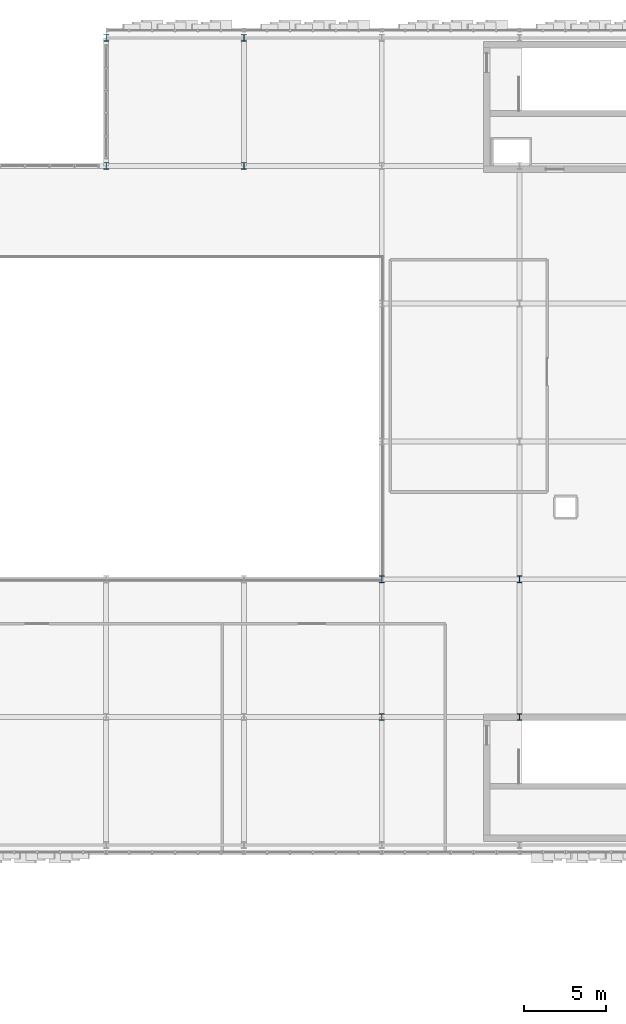
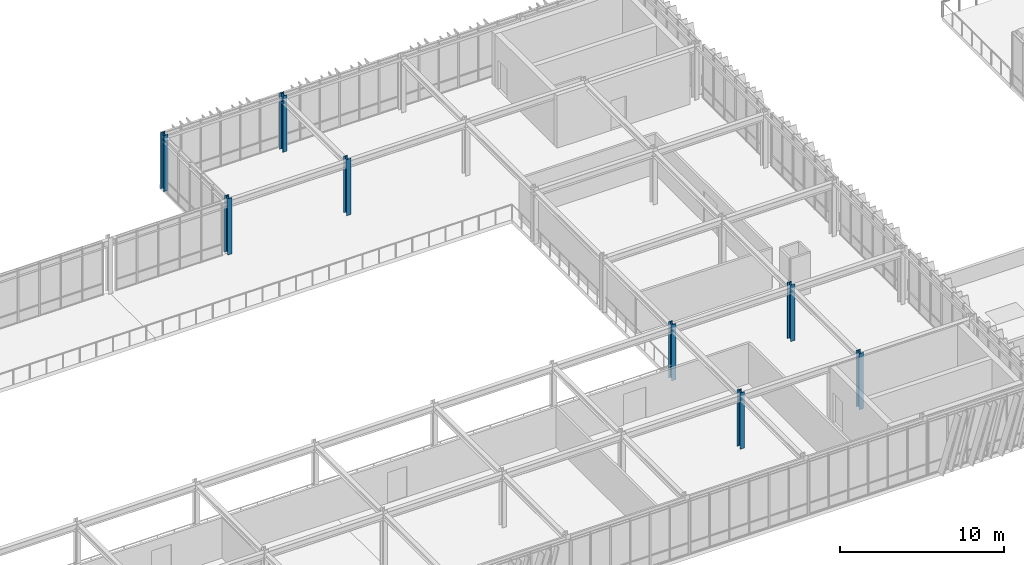
# One storey, part 10 of 123: 8 columns.
"""IFC4 building model written with IfcOpenShell, lengths in metres."""

from ifc_helpers import new_model, si_unit, direction, frame, origin, origin_2d, place, context, subcontext, project, spatial, i_section, extrude, material, material_profile, profile_set, type_object, element, save


model = new_model("IFC4")

# Units and contexts
model_context = context("Model", 3, precision=1e-05, world=origin(), true_north=direction((0.0, 1.0)))
body_context = subcontext(model_context, "Body", "Model", "MODEL_VIEW")
ifc_project = project(units=[si_unit("LENGTHUNIT", "METRE"), si_unit("AREAUNIT", "SQUARE_METRE"), si_unit("VOLUMEUNIT", "CUBIC_METRE"), si_unit("PLANEANGLEUNIT", "RADIAN"), si_unit("MASSUNIT", "GRAM", prefix="KILO")], contexts=[model_context])

# Site, building, storey
site_placement = place(None, origin())
site = spatial("IfcSite", under=ifc_project, at=site_placement, CompositionType="ELEMENT")
building_placement = place(site_placement, origin())
building = spatial("IfcBuilding", under=site, at=building_placement, Name="Zayran Congress Hotel", CompositionType="ELEMENT")
storey_placement = place(building_placement, frame((0.0, 0.0, 15.0)))
storey = spatial("IfcBuildingStorey", under=building, at=storey_placement, Name="L03", CompositionType="ELEMENT", Elevation=15.0)

# Columns
ifc_material = material(Name="Steel S355", Category="steel")
ifc_material_profile = material_profile(ifc_material, i_section(OverallWidth=0.300048828125, OverallDepth=0.39990234375, WebThickness=0.013427734375, FlangeThickness=0.02392578125, at=origin_2d()), Name="HEB 400")
ifc_profile_set = profile_set([ifc_material_profile], Name="Steel S355")
column_type = type_object("IfcColumnType", Name="TP-CL-07", PredefinedType="COLUMN", material=ifc_profile_set)
for number, where, z_axis, x_axis, name in (
    (1, (58.800048828125, 109.60009765625, 0.0), (0.0, 0.0, 1.0), (1.0, 0.0, 0.0), "COL-V1-L03-0493"),
    (2, (58.800048828125, 117.39990234375, 0.0), (0.0, 0.0, 1.0), (1.0, 0.0, 0.0), "COL-V1-L03-0494"),
    (3, (67.199951171875, 109.60009765625, 0.0), (0.0, 0.0, 1.0), (1.0, 0.0, 0.0), "COL-V1-L03-0498"),
    (4, (67.199951171875, 117.39990234375, 0.0), (0.0, 0.0, 1.0), (1.0, 0.0, 0.0), "COL-V1-L03-0499"),
    (5, (75.60009765625, 76.0, 0.0), (0.0, 0.0, 1.0), (1.0, 0.0, 0.0), "COL-V1-L03-0501"),
    (6, (75.60009765625, 84.39990234375, 0.0), (0.0, 0.0, 1.0), (1.0, 0.0, 0.0), "COL-V1-L03-0502"),
    (7, (84.0, 76.0, 0.0), (0.0, 0.0, 1.0), (1.0, 0.0, 0.0), "COL-V1-L03-0508"),
    (8, (84.0, 84.39990234375, 0.0), (0.0, 0.0, 1.0), (1.0, 0.0, 0.0), "COL-V1-L03-0509"),
):
    element("IfcColumn", number, at=place(storey_placement, frame(where, z_axis=z_axis, x_axis=x_axis)), inside=storey, type_object=column_type, Name=name, PredefinedType="COLUMN", context=body_context, shape_type="SweptSolid", body=[
        extrude(i_section(OverallWidth=0.300048828125, OverallDepth=0.39990234375, WebThickness=0.013427734375, FlangeThickness=0.02392578125, at=origin_2d()), origin(), (0.0, 0.0, 1.0), 4.199951171875),
    ])

save(model, "model.ifc")
